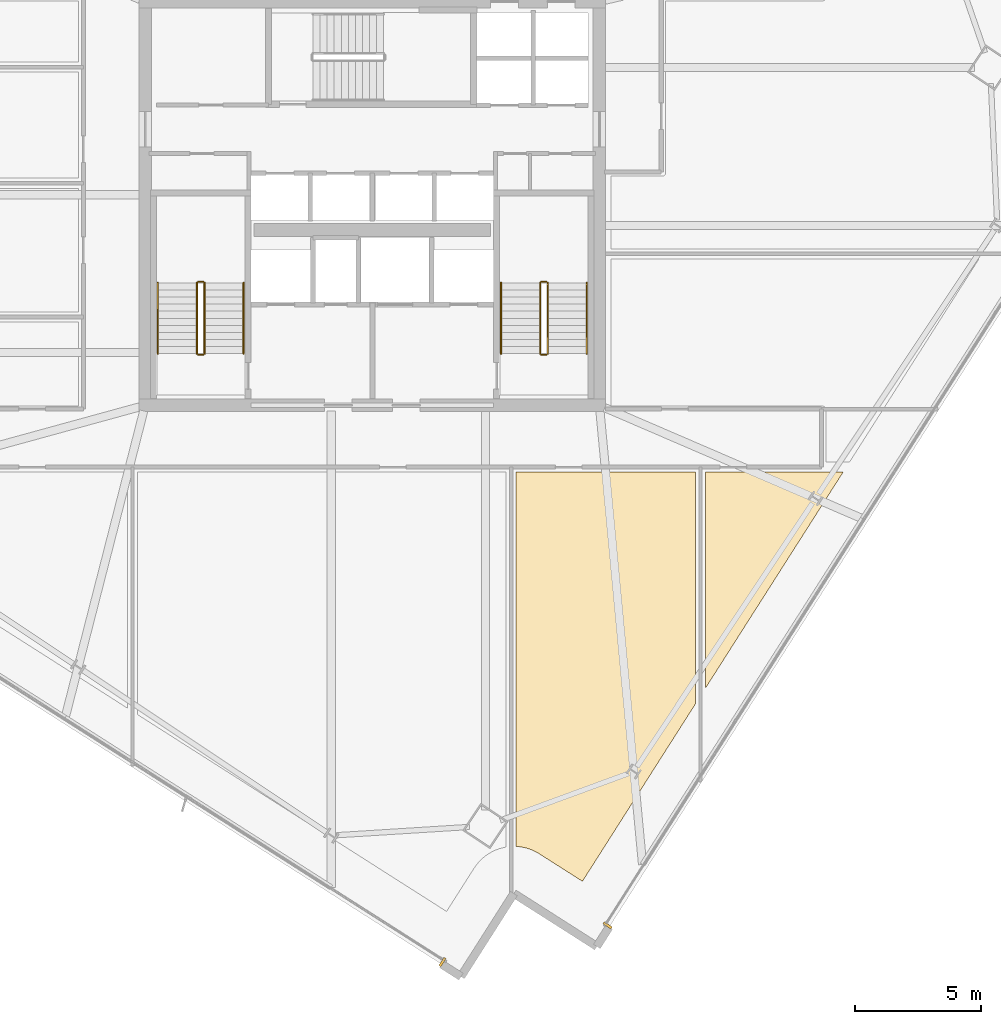
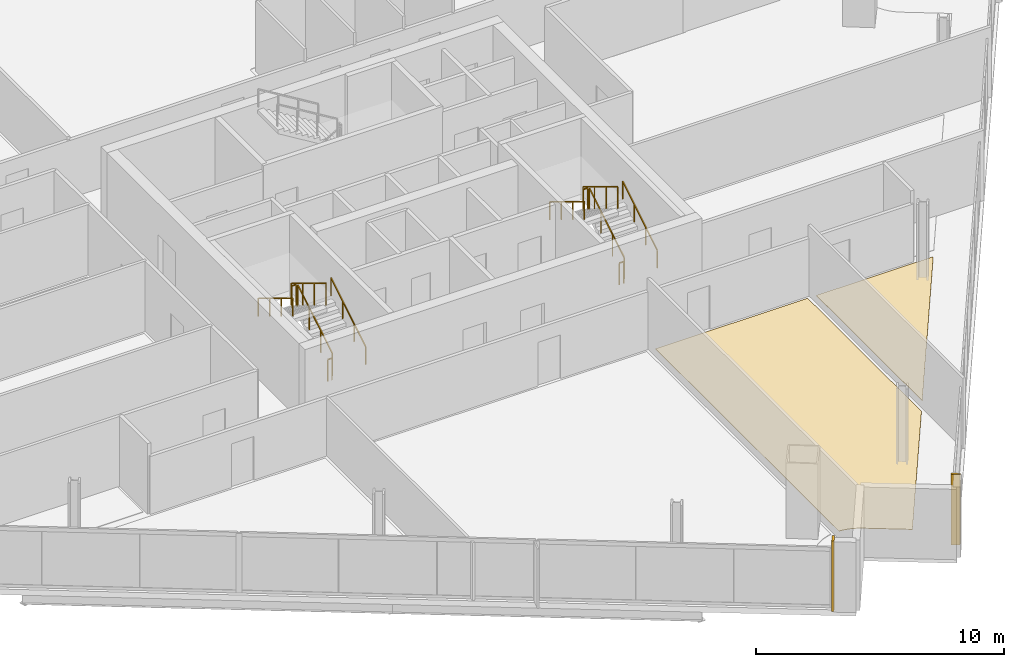
# One storey, part 27 of 30: 12 railings, 4 coverings.
"""IFC4 building model written with IfcOpenShell, lengths in metres."""

from ifc_helpers import new_model, si_unit, direction, frame, origin, origin_2d, place, context, subcontext, project, spatial, polyline, rectangle, outline, extrude, source, transform, mapped, material, layer, layer_set, type_object, element, save


model = new_model("IFC4")

# Units and contexts
model_context = context("Model", 3, precision=1e-05, world=origin(), true_north=direction((0.0, 1.0)))
body_context = subcontext(model_context, "Body", "Model", "MODEL_VIEW")
ifc_project = project(units=[si_unit("LENGTHUNIT", "METRE"), si_unit("AREAUNIT", "SQUARE_METRE"), si_unit("VOLUMEUNIT", "CUBIC_METRE"), si_unit("PLANEANGLEUNIT", "RADIAN"), si_unit("MASSUNIT", "GRAM", prefix="KILO")], contexts=[model_context])

# Site, building, storey
site_placement = place(None, origin())
site = spatial("IfcSite", under=ifc_project, at=site_placement, CompositionType="ELEMENT")
building_placement = place(site_placement, origin())
building = spatial("IfcBuilding", under=site, at=building_placement, Name="Haldenkirk Collegiate Tower", CompositionType="ELEMENT")
storey_placement = place(building_placement, frame((0.0, 0.0, 220.949951171875)))
storey = spatial("IfcBuildingStorey", under=building, at=storey_placement, Name="L55", CompositionType="ELEMENT", Elevation=220.949951171875)

# Coverings
ifc_material_1 = material(Name="Polished collegiate terrazzo", Category="concrete")
ifc_layer_1 = layer(ifc_material_1, 0.02490234375)
ifc_layer_set_1 = layer_set([ifc_layer_1], Name="Polished collegiate terrazzo")
covering_type_1 = type_object("IfcCoveringType", Name="COV-FLOOR-TERRAZZO", PredefinedType="FLOORING", material=ifc_layer_set_1)
covering_1_placement = place(storey_placement, origin())
element("IfcCovering", 1, at=covering_1_placement, inside=storey, type_object=covering_type_1, Name="L55 academic room finish 04", PredefinedType="FLOORING", context=body_context, shape_type="SweptSolid", body=[
    extrude(outline(polyline([(49.199951171875, 6.788818359375), (49.199951171875, 15.35009765625), (54.654296875, 15.35009765625), (49.199951171875, 6.788818359375)])), origin(), (0.0, 0.0, 1.0), 0.025146484375),
])
ifc_material_2 = material(Name="Engineered collegiate oak acoustic flooring", Category="wood")
ifc_layer_2 = layer(ifc_material_2, 0.02197265625)
ifc_layer_set_2 = layer_set([ifc_layer_2], Name="Engineered collegiate oak acoustic flooring")
covering_type_2 = type_object("IfcCoveringType", Name="COV-FLOOR-TIMBER", PredefinedType="FLOORING", material=ifc_layer_set_2)
covering_2_placement = place(storey_placement, origin())
element("IfcCovering", 2, at=covering_2_placement, inside=storey, type_object=covering_type_2, Name="L55 academic room finish 03", PredefinedType="FLOORING", context=body_context, shape_type="SweptSolid", body=[
    extrude(outline(polyline([(41.9404296875, 0.493408203125), (41.928955078125, 0.49560546875), (41.758544921875, 0.51708984375), (41.746826171875, 0.517822265625), (41.699951171875, 0.51904296875), (41.699951171875, 15.35009765625), (48.800048828125, 15.35009765625), (48.800048828125, 6.160888671875), (44.326904296875, -0.860595703125), (42.61474609375, 0.22998046875), (42.60986328125, 0.233154296875), (42.460693359375, 0.318115234375), (42.449951171875, 0.323486328125), (42.293212890625, 0.3935546875), (42.2822265625, 0.397705078125), (42.119384765625, 0.4521484375), (42.10791015625, 0.455322265625), (41.9404296875, 0.493408203125)])), origin(), (0.0, 0.0, 1.0), 0.02197265625),
])

# Railings
ifc_material_3 = material(Name="Painted architectural tubular steel", Category="steel")
railing_type_1 = type_object("IfcRailingType", Name="RLG-STAIR-GUARD-1100", PredefinedType="BALUSTRADE", material=ifc_material_3)
railing_1_placement = place(storey_placement, frame((29.35009765625, 20.050048828125, 0.17041015625)))
element("IfcRailing", 3, at=railing_1_placement, inside=storey, type_object=railing_type_1, Name="L55 ST-1 stair guard 1", PredefinedType="BALUSTRADE", context=body_context, shape_type="SweptSolid", body=[
    extrude(rectangle(XDim=0.048095703125, YDim=0.048095703125, at=origin_2d()), frame((0.0, 0.0, 1.076171875), z_axis=(0.0, 0.854169791009, 0.51999420009), x_axis=(-1.0, 0.0, 0.0)), (0.0, 0.0, 1.0), 3.278076171875),
    extrude(rectangle(XDim=0.0419921875, YDim=0.0419921875, at=origin_2d()), origin(), (0.0, 0.0, 1.0), 1.052001953125),
    extrude(rectangle(XDim=0.0419921875, YDim=0.0419921875, at=origin_2d()), frame((0.0, 0.933349609375, 0.568115234375)), (0.0, 0.0, 1.0), 1.052001953125),
    extrude(rectangle(XDim=0.0419921875, YDim=0.0419921875, at=origin_2d()), frame((0.0, 1.86669921875, 1.136474609375)), (0.0, 0.0, 1.0), 1.052001953125),
    extrude(rectangle(XDim=0.0419921875, YDim=0.0419921875, at=origin_2d()), frame((0.0, 2.800048828125, 1.70458984375)), (0.0, 0.0, 1.0), 1.052001953125),
])
railing_2_placement = place(storey_placement, frame((29.300048828125, 22.89990234375, 1.875)))
element("IfcRailing", 4, at=railing_2_placement, inside=storey, type_object=railing_type_1, Name="L55 ST-1 stair guard 2", PredefinedType="BALUSTRADE", context=body_context, shape_type="SweptSolid", body=[
    extrude(rectangle(XDim=0.048095703125, YDim=0.048095703125, at=origin_2d()), frame((0.0, 0.0, 1.076171875), z_axis=(-1.0, 0.0, 0.0), x_axis=(0.0, -1.0, 0.0)), (0.0, 0.0, 1.0), 0.199951171875),
    extrude(rectangle(XDim=0.0419921875, YDim=0.0419921875, at=origin_2d()), origin(), (0.0, 0.0, 1.0), 1.052001953125),
    extrude(rectangle(XDim=0.0419921875, YDim=0.0419921875, at=origin_2d()), frame((-0.199951171875, 0.0, 0.0)), (0.0, 0.0, 1.0), 1.052001953125),
])
railing_3_placement = place(storey_placement, frame((29.050048828125, 22.85009765625, 2.04541015625)))
element("IfcRailing", 5, at=railing_3_placement, inside=storey, type_object=railing_type_1, Name="L55 ST-1 stair guard 3", PredefinedType="BALUSTRADE", context=body_context, shape_type="SweptSolid", body=[
    extrude(rectangle(XDim=0.048095703125, YDim=0.048095703125, at=origin_2d()), frame((0.0, 0.0, 1.076171875), z_axis=(0.0, -0.854169791009, 0.51999420009), x_axis=(1.0, 0.0, 0.0)), (0.0, 0.0, 1.0), 3.278076171875),
    extrude(rectangle(XDim=0.0419921875, YDim=0.0419921875, at=origin_2d()), origin(), (0.0, 0.0, 1.0), 1.052001953125),
    extrude(rectangle(XDim=0.0419921875, YDim=0.0419921875, at=origin_2d()), frame((0.0, -0.933349609375, 0.568115234375)), (0.0, 0.0, 1.0), 1.052001953125),
    extrude(rectangle(XDim=0.0419921875, YDim=0.0419921875, at=origin_2d()), frame((0.0, -1.86669921875, 1.136474609375)), (0.0, 0.0, 1.0), 1.052001953125),
    extrude(rectangle(XDim=0.0419921875, YDim=0.0419921875, at=origin_2d()), frame((0.0, -2.800048828125, 1.70458984375)), (0.0, 0.0, 1.0), 1.052001953125),
])
railing_4_placement = place(storey_placement, frame((29.300048828125, 20.0, 0.0)))
element("IfcRailing", 6, at=railing_4_placement, inside=storey, type_object=railing_type_1, Name="L55 ST-1 stair guard 4", PredefinedType="BALUSTRADE", context=body_context, shape_type="SweptSolid", body=[
    extrude(rectangle(XDim=0.048095703125, YDim=0.048095703125, at=origin_2d()), frame((0.0, 0.0, 1.076171875), z_axis=(-1.0, 0.0, 0.0), x_axis=(0.0, -1.0, 0.0)), (0.0, 0.0, 1.0), 0.199951171875),
    extrude(rectangle(XDim=0.0419921875, YDim=0.0419921875, at=origin_2d()), origin(), (0.0, 0.0, 1.0), 1.052001953125),
    extrude(rectangle(XDim=0.0419921875, YDim=0.0419921875, at=origin_2d()), frame((-0.199951171875, 0.0, 0.0)), (0.0, 0.0, 1.0), 1.052001953125),
])
railing_5_placement = place(storey_placement, frame((42.949951171875, 20.050048828125, 0.17041015625)))
element("IfcRailing", 7, at=railing_5_placement, inside=storey, type_object=railing_type_1, Name="L55 ST-2 stair guard 1", PredefinedType="BALUSTRADE", context=body_context, shape_type="SweptSolid", body=[
    extrude(rectangle(XDim=0.048095703125, YDim=0.048095703125, at=origin_2d()), frame((0.0, 0.0, 1.076171875), z_axis=(0.0, 0.854169791009, 0.51999420009), x_axis=(-1.0, 0.0, 0.0)), (0.0, 0.0, 1.0), 3.278076171875),
    extrude(rectangle(XDim=0.0419921875, YDim=0.0419921875, at=origin_2d()), origin(), (0.0, 0.0, 1.0), 1.052001953125),
    extrude(rectangle(XDim=0.0419921875, YDim=0.0419921875, at=origin_2d()), frame((0.0, 0.933349609375, 0.568115234375)), (0.0, 0.0, 1.0), 1.052001953125),
    extrude(rectangle(XDim=0.0419921875, YDim=0.0419921875, at=origin_2d()), frame((0.0, 1.86669921875, 1.136474609375)), (0.0, 0.0, 1.0), 1.052001953125),
    extrude(rectangle(XDim=0.0419921875, YDim=0.0419921875, at=origin_2d()), frame((0.0, 2.800048828125, 1.70458984375)), (0.0, 0.0, 1.0), 1.052001953125),
])
railing_6_placement = place(storey_placement, frame((42.89990234375, 22.89990234375, 1.875)))
element("IfcRailing", 8, at=railing_6_placement, inside=storey, type_object=railing_type_1, Name="L55 ST-2 stair guard 2", PredefinedType="BALUSTRADE", context=body_context, shape_type="SweptSolid", body=[
    extrude(rectangle(XDim=0.048095703125, YDim=0.048095703125, at=origin_2d()), frame((0.0, 0.0, 1.076171875), z_axis=(-1.0, 0.0, 0.0), x_axis=(0.0, -1.0, 0.0)), (0.0, 0.0, 1.0), 0.199951171875),
    extrude(rectangle(XDim=0.0419921875, YDim=0.0419921875, at=origin_2d()), origin(), (0.0, 0.0, 1.0), 1.052001953125),
    extrude(rectangle(XDim=0.0419921875, YDim=0.0419921875, at=origin_2d()), frame((-0.199951171875, 0.0, 0.0)), (0.0, 0.0, 1.0), 1.052001953125),
])
railing_7_placement = place(storey_placement, frame((42.64990234375, 22.85009765625, 2.04541015625)))
element("IfcRailing", 9, at=railing_7_placement, inside=storey, type_object=railing_type_1, Name="L55 ST-2 stair guard 3", PredefinedType="BALUSTRADE", context=body_context, shape_type="SweptSolid", body=[
    extrude(rectangle(XDim=0.048095703125, YDim=0.048095703125, at=origin_2d()), frame((0.0, 0.0, 1.076171875), z_axis=(0.0, -0.854169791009, 0.51999420009), x_axis=(1.0, 0.0, 0.0)), (0.0, 0.0, 1.0), 3.278076171875),
    extrude(rectangle(XDim=0.0419921875, YDim=0.0419921875, at=origin_2d()), origin(), (0.0, 0.0, 1.0), 1.052001953125),
    extrude(rectangle(XDim=0.0419921875, YDim=0.0419921875, at=origin_2d()), frame((0.0, -0.933349609375, 0.568115234375)), (0.0, 0.0, 1.0), 1.052001953125),
    extrude(rectangle(XDim=0.0419921875, YDim=0.0419921875, at=origin_2d()), frame((0.0, -1.86669921875, 1.136474609375)), (0.0, 0.0, 1.0), 1.052001953125),
    extrude(rectangle(XDim=0.0419921875, YDim=0.0419921875, at=origin_2d()), frame((0.0, -2.800048828125, 1.70458984375)), (0.0, 0.0, 1.0), 1.052001953125),
])
railing_8_placement = place(storey_placement, frame((42.89990234375, 20.0, 0.0)))
element("IfcRailing", 10, at=railing_8_placement, inside=storey, type_object=railing_type_1, Name="L55 ST-2 stair guard 4", PredefinedType="BALUSTRADE", context=body_context, shape_type="SweptSolid", body=[
    extrude(rectangle(XDim=0.048095703125, YDim=0.048095703125, at=origin_2d()), frame((0.0, 0.0, 1.076171875), z_axis=(-1.0, 0.0, 0.0), x_axis=(0.0, -1.0, 0.0)), (0.0, 0.0, 1.0), 0.199951171875),
    extrude(rectangle(XDim=0.0419921875, YDim=0.0419921875, at=origin_2d()), origin(), (0.0, 0.0, 1.0), 1.052001953125),
    extrude(rectangle(XDim=0.0419921875, YDim=0.0419921875, at=origin_2d()), frame((-0.199951171875, 0.0, 0.0)), (0.0, 0.0, 1.0), 1.052001953125),
])
railing_type_2 = type_object("IfcRailingType", Name="RLG-STAIR-HANDRAIL-900", PredefinedType="HANDRAIL", material=ifc_material_3)
railing_9_placement = place(storey_placement, frame((30.89990234375, 20.050048828125, 0.17041015625)))
element("IfcRailing", 11, at=railing_9_placement, inside=storey, type_object=railing_type_2, Name="L55 ST-1 stair handrail 1", PredefinedType="HANDRAIL", context=body_context, shape_type="SweptSolid", body=[
    extrude(rectangle(XDim=0.048095703125, YDim=0.048095703125, at=origin_2d()), frame((0.0, 0.0, 0.8759765625), z_axis=(0.0, 0.854169791009, 0.51999420009), x_axis=(-1.0, 0.0, 0.0)), (0.0, 0.0, 1.0), 3.278076171875),
    extrude(rectangle(XDim=0.0419921875, YDim=0.0419921875, at=origin_2d()), origin(), (0.0, 0.0, 1.0), 0.851806640625),
    extrude(rectangle(XDim=0.0419921875, YDim=0.0419921875, at=origin_2d()), frame((0.0, 0.933349609375, 0.568115234375)), (0.0, 0.0, 1.0), 0.851806640625),
    extrude(rectangle(XDim=0.0419921875, YDim=0.0419921875, at=origin_2d()), frame((0.0, 1.86669921875, 1.136474609375)), (0.0, 0.0, 1.0), 0.851806640625),
    extrude(rectangle(XDim=0.0419921875, YDim=0.0419921875, at=origin_2d()), frame((0.0, 2.800048828125, 1.70458984375)), (0.0, 0.0, 1.0), 0.851806640625),
])
railing_10_placement = place(storey_placement, frame((27.5, 22.85009765625, 2.04541015625)))
element("IfcRailing", 12, at=railing_10_placement, inside=storey, type_object=railing_type_2, Name="L55 ST-1 stair handrail 2", PredefinedType="HANDRAIL", context=body_context, shape_type="SweptSolid", body=[
    extrude(rectangle(XDim=0.048095703125, YDim=0.048095703125, at=origin_2d()), frame((0.0, 0.0, 0.8759765625), z_axis=(0.0, -0.854169791009, 0.51999420009), x_axis=(1.0, 0.0, 0.0)), (0.0, 0.0, 1.0), 3.278076171875),
    extrude(rectangle(XDim=0.0419921875, YDim=0.0419921875, at=origin_2d()), origin(), (0.0, 0.0, 1.0), 0.851806640625),
    extrude(rectangle(XDim=0.0419921875, YDim=0.0419921875, at=origin_2d()), frame((0.0, -0.933349609375, 0.568115234375)), (0.0, 0.0, 1.0), 0.851806640625),
    extrude(rectangle(XDim=0.0419921875, YDim=0.0419921875, at=origin_2d()), frame((0.0, -1.86669921875, 1.136474609375)), (0.0, 0.0, 1.0), 0.851806640625),
    extrude(rectangle(XDim=0.0419921875, YDim=0.0419921875, at=origin_2d()), frame((0.0, -2.800048828125, 1.70458984375)), (0.0, 0.0, 1.0), 0.851806640625),
])
railing_11_placement = place(storey_placement, frame((44.5, 20.050048828125, 0.17041015625)))
element("IfcRailing", 13, at=railing_11_placement, inside=storey, type_object=railing_type_2, Name="L55 ST-2 stair handrail 1", PredefinedType="HANDRAIL", context=body_context, shape_type="SweptSolid", body=[
    extrude(rectangle(XDim=0.048095703125, YDim=0.048095703125, at=origin_2d()), frame((0.0, 0.0, 0.8759765625), z_axis=(0.0, 0.854169791009, 0.51999420009), x_axis=(-1.0, 0.0, 0.0)), (0.0, 0.0, 1.0), 3.278076171875),
    extrude(rectangle(XDim=0.0419921875, YDim=0.0419921875, at=origin_2d()), origin(), (0.0, 0.0, 1.0), 0.851806640625),
    extrude(rectangle(XDim=0.0419921875, YDim=0.0419921875, at=origin_2d()), frame((0.0, 0.933349609375, 0.568115234375)), (0.0, 0.0, 1.0), 0.851806640625),
    extrude(rectangle(XDim=0.0419921875, YDim=0.0419921875, at=origin_2d()), frame((0.0, 1.86669921875, 1.136474609375)), (0.0, 0.0, 1.0), 0.851806640625),
    extrude(rectangle(XDim=0.0419921875, YDim=0.0419921875, at=origin_2d()), frame((0.0, 2.800048828125, 1.70458984375)), (0.0, 0.0, 1.0), 0.851806640625),
])
railing_12_placement = place(storey_placement, frame((41.10009765625, 22.85009765625, 2.04541015625)))
element("IfcRailing", 14, at=railing_12_placement, inside=storey, type_object=railing_type_2, Name="L55 ST-2 stair handrail 2", PredefinedType="HANDRAIL", context=body_context, shape_type="SweptSolid", body=[
    extrude(rectangle(XDim=0.048095703125, YDim=0.048095703125, at=origin_2d()), frame((0.0, 0.0, 0.8759765625), z_axis=(0.0, -0.854169791009, 0.51999420009), x_axis=(1.0, 0.0, 0.0)), (0.0, 0.0, 1.0), 3.278076171875),
    extrude(rectangle(XDim=0.0419921875, YDim=0.0419921875, at=origin_2d()), origin(), (0.0, 0.0, 1.0), 0.851806640625),
    extrude(rectangle(XDim=0.0419921875, YDim=0.0419921875, at=origin_2d()), frame((0.0, -0.933349609375, 0.568115234375)), (0.0, 0.0, 1.0), 0.851806640625),
    extrude(rectangle(XDim=0.0419921875, YDim=0.0419921875, at=origin_2d()), frame((0.0, -1.86669921875, 1.136474609375)), (0.0, 0.0, 1.0), 0.851806640625),
    extrude(rectangle(XDim=0.0419921875, YDim=0.0419921875, at=origin_2d()), frame((0.0, -2.800048828125, 1.70458984375)), (0.0, 0.0, 1.0), 0.851806640625),
])

# Coverings
ifc_material_4 = material(Name="Anodised architectural bronze aluminium", Category="aluminium")
ifc_layer_3 = layer(ifc_material_4, 0.06005859375)
ifc_layer_set_3 = layer_set([ifc_layer_3], Name="Anodised architectural bronze aluminium")
covering_type_3 = type_object("IfcCoveringType", Name="COV-CLAD-BRONZE-60", PredefinedType="CLADDING", material=ifc_layer_set_3)
shared_shape = source(origin(), body_context, "Body", "SweptSolid", [
    extrude(rectangle(XDim=0.10009765625, YDim=0.3798828125, at=origin_2d()), origin(), (0.0, 0.0, 1.0), 3.469970703125),
])
for number, where, z_axis, x_axis, name in (
    (15, (45.322998046875, -2.609619140625, 0.0), (0.0, 0.0, 1.0), (-0.537299608347, -0.843391445813, 0.0), "L55 recessed curtain-wall bronze jamb closure SJR"),
    (16, (38.778564453125, -4.060791015625, 0.0), (0.0, 0.0, 1.0), (-0.843391445813, 0.537299608347, 0.0), "L55 recessed curtain-wall bronze jamb closure WJL"),
):
    element("IfcCovering", number, at=place(storey_placement, frame(where, z_axis=z_axis, x_axis=x_axis)), inside=storey, type_object=covering_type_3, Name=name, PredefinedType="CLADDING", context=body_context, shape_type="MappedRepresentation", body=[
        mapped(shared_shape, transform((0.0, 0.0, 0.0), x_axis=(1.0, 0.0, 0.0), y_axis=(0.0, 1.0, 0.0), z_axis=(0.0, 0.0, 1.0), scale=1.0)),
    ])

save(model, "model.ifc")
